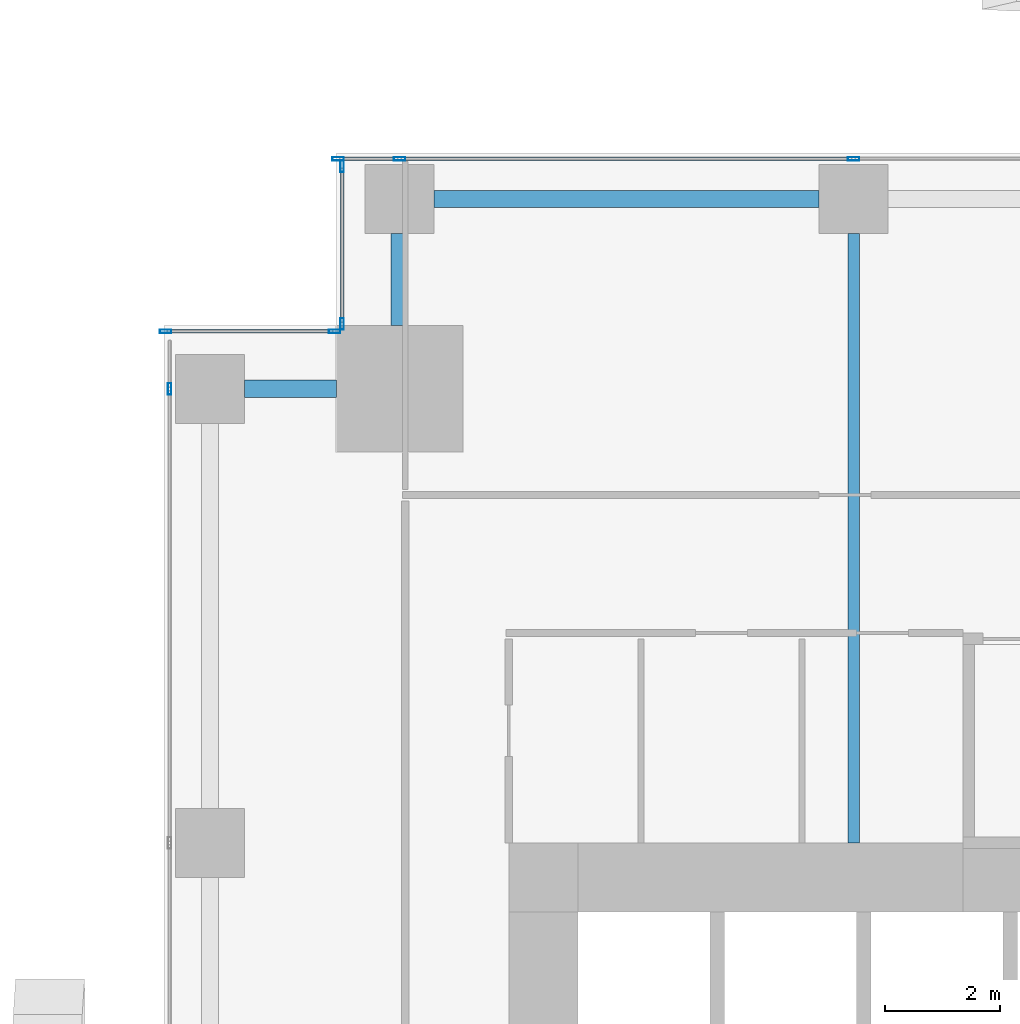
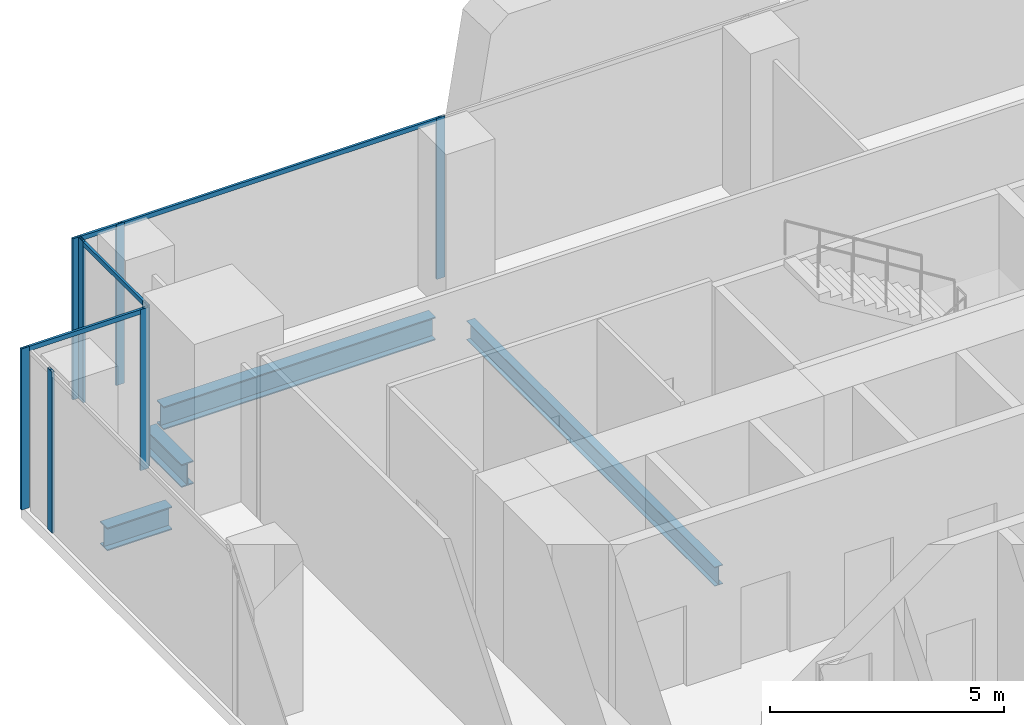
# One storey, part 14 of 35: 12 members, 4 beams, 4 elements without a shape of their own.
"""IFC4 building model written with IfcOpenShell, lengths in metres."""

import ifcopenshell
import ifcopenshell.guid

model = None  # the IFC model being written
_history = None  # IfcOwnerHistory: only IFC2X3 demands one
_inside = {}  # id of a spatial element -> (the spatial element, [elements in it])
_under = {}  # id of a project, library or spatial element -> (it, [spatial elements below it])
_declared = {}  # id of a project -> (the project, [libraries it declares])
_typed = {}  # id of a type object -> (the type object, [elements of that type])
_made_of = {}  # id of a material, layer set ... -> (it, [elements and type objects made of it])


def new_model(schema):
    """Start an empty IFC model of exactly this schema.

    Asked for "IFC4X3", IfcOpenShell would pick the latest addendum, in which some entities
    have other attributes; the version numbers below select the first issue.
    IFC2X3 requires an IfcOwnerHistory on every rooted entity: one is made here for all.
    """
    global model, _history
    if schema == "IFC4X3":
        model = ifcopenshell.file(schema_version=(4, 3, 0, 0))
    else:
        model = ifcopenshell.file(schema=schema)
    _inside.clear()
    _under.clear()
    _declared.clear()
    _typed.clear()
    _made_of.clear()
    _history = None
    if model.schema == "IFC2X3":
        org = make("IfcOrganization", Name="unknown")
        user = make(
            "IfcPersonAndOrganization",
            ThePerson=make("IfcPerson", FamilyName="unknown"),
            TheOrganization=org,
        )
        app = make(
            "IfcApplication",
            ApplicationDeveloper=org,
            Version="unknown",
            ApplicationFullName="unknown",
            ApplicationIdentifier="unknown",
        )
        _history = make(
            "IfcOwnerHistory",
            OwningUser=user,
            OwningApplication=app,
            ChangeAction="ADDED",
            CreationDate=0,
        )
    return model


def make(cls, **values):
    """One entity of the class cls with the attributes given. An attribute that is None is left unset."""
    return model.create_entity(
        cls, **{name: value for name, value in values.items() if value is not None}
    )


def rooted(cls, **values):
    """An entity with a GlobalId (a new one), such as an element, a storey or a relation."""
    return make(cls, GlobalId=ifcopenshell.guid.new(), OwnerHistory=_history, **values)


def si_unit(unit_type, name, prefix=None):
    """IfcSIUnit, for example si_unit("LENGTHUNIT", "METRE", prefix="MILLI")."""
    return make("IfcSIUnit", UnitType=unit_type, Prefix=prefix, Name=name)


def assignment(units):
    """IfcUnitAssignment: the units of a project."""
    return None if units is None else make("IfcUnitAssignment", Units=units)


def point(xyz):
    """IfcCartesianPoint."""
    return None if xyz is None else make("IfcCartesianPoint", Coordinates=xyz)


def direction(xyz):
    """IfcDirection."""
    return None if xyz is None else make("IfcDirection", DirectionRatios=xyz)


def frame(location, z_axis=None, x_axis=None):
    """IfcAxis2Placement3D, a coordinate frame: its origin and axes. An axis left out is left unset."""
    return make(
        "IfcAxis2Placement3D",
        Location=point(location),
        Axis=direction(z_axis),
        RefDirection=direction(x_axis),
    )


def frame_2d(location, x_axis=None):
    """IfcAxis2Placement2D, a coordinate frame in the plane: its origin and x axis."""
    return make(
        "IfcAxis2Placement2D", Location=point(location), RefDirection=direction(x_axis)
    )


def origin():
    """The frame at (0, 0, 0) with its axes left unset."""
    return frame((0.0, 0.0, 0.0))


def origin_2d():
    """The frame at (0, 0) in the plane with its x axis left unset."""
    return frame_2d((0.0, 0.0))


def place(relative_to, where):
    """IfcLocalPlacement: puts the frame where relative to a parent placement (None: the world)."""
    return make(
        "IfcLocalPlacement", PlacementRelTo=relative_to, RelativePlacement=where
    )


def context(
    kind, dimensions, precision=None, world=None, true_north=None, identifier=None
):
    """IfcGeometricRepresentationContext, for example the 3D "Model" context."""
    return make(
        "IfcGeometricRepresentationContext",
        ContextIdentifier=identifier,
        ContextType=kind,
        CoordinateSpaceDimension=dimensions,
        Precision=precision,
        WorldCoordinateSystem=world,
        TrueNorth=true_north,
    )


def subcontext(parent, identifier, kind, view, scale=None):
    """IfcGeometricRepresentationSubContext, for example "Body" below "Model"."""
    return make(
        "IfcGeometricRepresentationSubContext",
        ContextIdentifier=identifier,
        ContextType=kind,
        ParentContext=parent,
        TargetScale=scale,
        TargetView=view,
    )


def project(units=None, contexts=None):
    """IfcProject with its units and contexts."""
    return rooted(
        "IfcProject",
        Name="project",
        RepresentationContexts=contexts,
        UnitsInContext=assignment(units),
    )


def spatial(cls, under=None, at=None, **own):
    """A site, building, storey or space (cls), placed at a placement, below another one or the project."""
    s = rooted(cls, ObjectPlacement=at, **own)
    if under is not None:
        _under.setdefault(under.id(), (under, []))[1].append(s)
    return s


def profile(cls, at=None, kind="AREA", **sizes):
    """A parametric profile (cls). Its sizes go by their IFC names, for example OverallWidth=200.0."""
    return make(cls, ProfileType=kind, Position=at, **sizes)


def hollow_rectangle(**sizes):
    """IfcRectangleHollowProfileDef."""
    return profile("IfcRectangleHollowProfileDef", **sizes)


def i_section(**sizes):
    """IfcIShapeProfileDef."""
    return profile("IfcIShapeProfileDef", **sizes)


def extrude(swept, where, along, depth):
    """IfcExtrudedAreaSolid: the profile swept, set in the frame where, extruded along a direction by depth."""
    return make(
        "IfcExtrudedAreaSolid",
        SweptArea=swept,
        Position=where,
        ExtrudedDirection=direction(along),
        Depth=depth,
    )


def shape(context_of_items, identifier, shape_type, items):
    """IfcShapeRepresentation: the items that make up one representation, for example the "Body"."""
    return make(
        "IfcShapeRepresentation",
        ContextOfItems=context_of_items,
        RepresentationIdentifier=identifier,
        RepresentationType=shape_type,
        Items=items,
    )


def source(mapping_origin, context_of_items, identifier, shape_type, items):
    """IfcRepresentationMap: a shape defined once, which mapped items show again and again."""
    return make(
        "IfcRepresentationMap",
        MappingOrigin=mapping_origin,
        MappedRepresentation=shape(context_of_items, identifier, shape_type, items),
    )


def transform(
    local_origin,
    x_axis=None,
    y_axis=None,
    z_axis=None,
    scale=None,
    scale2=None,
    scale3=None,
    uniform=True,
):
    """IfcCartesianTransformationOperator3D, or its non-uniform kind. x_axis, y_axis, z_axis: its Axis1, 2, 3."""
    if uniform:
        return make(
            "IfcCartesianTransformationOperator3D",
            Axis1=direction(x_axis),
            Axis2=direction(y_axis),
            LocalOrigin=point(local_origin),
            Scale=scale,
            Axis3=direction(z_axis),
        )
    return make(
        "IfcCartesianTransformationOperator3DnonUniform",
        Axis1=direction(x_axis),
        Axis2=direction(y_axis),
        LocalOrigin=point(local_origin),
        Scale=scale,
        Axis3=direction(z_axis),
        Scale2=scale2,
        Scale3=scale3,
    )


def mapped(mapping_source, mapping_target):
    """IfcMappedItem: shows the shape of a source again, moved by a transform."""
    return make(
        "IfcMappedItem", MappingSource=mapping_source, MappingTarget=mapping_target
    )


def material(Name=None, Category=None):
    """IfcMaterial."""
    return make("IfcMaterial", Name=Name, Category=Category)


def material_profile(
    of_material, cross_section, Name=None, Category=None, Priority=None
):
    """IfcMaterialProfile: a cross section and its material."""
    return make(
        "IfcMaterialProfile",
        Name=Name,
        Material=of_material,
        Profile=cross_section,
        Priority=Priority,
        Category=Category,
    )


def profile_set(profiles, Name=None, composite=None):
    """IfcMaterialProfileSet."""
    return make(
        "IfcMaterialProfileSet",
        Name=Name,
        MaterialProfiles=profiles,
        CompositeProfile=composite,
    )


def made_of(thing, what):
    """Note that an element or type object is made of a material, layer set ...; save() writes the relation."""
    if what is not None:
        _made_of.setdefault(what.id(), (what, []))[1].append(thing)
    return thing


def type_object(cls, material=None, **own):
    """A type object (cls), such as IfcWallType, which elements share."""
    return made_of(rooted(cls, **own), material)


def element(
    cls,
    number,
    at=None,
    inside=None,
    cuts=None,
    type_object=None,
    material=None,
    context=None,
    identifier="Body",
    shape_type=None,
    held_by="IfcProductDefinitionShape",
    body=None,
    shapes=None,
    **own,
):
    """One element of the class cls, such as IfcWall. Its Tag is "e" and its number.

    at: its placement. inside: the storey or other place that contains it. cuts: it is an
    opening in that element (IfcRelVoidsElement). A single representation is given by context,
    identifier, shape_type and body (its items); several are given by shapes. held_by: the class
    of the entity that holds the representations. save() writes the other relations.
    """
    e = rooted(cls, Tag="e%d" % number, ObjectPlacement=at, **own)
    if body is not None:
        shapes = [shape(context, identifier, shape_type, body)]
    if shapes is not None:
        e.Representation = make(held_by, Representations=shapes)
    if inside is not None:
        _inside.setdefault(inside.id(), (inside, []))[1].append(e)
    if cuts is not None:
        rooted(
            "IfcRelVoidsElement", RelatingBuildingElement=cuts, RelatedOpeningElement=e
        )
    if type_object is not None:
        _typed.setdefault(type_object.id(), (type_object, []))[1].append(e)
    return made_of(e, material)


def aggregate(whole, parts):
    """IfcRelAggregates: a whole, such as a stair, and the parts it consists of."""
    return rooted("IfcRelAggregates", RelatingObject=whole, RelatedObjects=parts)


def save(model, path):
    """Write the relations noted so far, then the file.

    IfcRelAggregates (storeys below a building ...), IfcRelContainedInSpatialStructure (elements
    in a storey), IfcRelDefinesByType, IfcRelAssociatesMaterial and IfcRelDeclares: one each for
    every whole, place, type object, material and project.
    """
    for whole, parts in _under.values():
        aggregate(whole, parts)
    for where, things in _inside.values():
        rooted(
            "IfcRelContainedInSpatialStructure",
            RelatedElements=things,
            RelatingStructure=where,
        )
    for kind, things in _typed.values():
        rooted("IfcRelDefinesByType", RelatedObjects=things, RelatingType=kind)
    for what, things in _made_of.values():
        rooted("IfcRelAssociatesMaterial", RelatedObjects=things, RelatingMaterial=what)
    for by, libraries in _declared.values():
        rooted("IfcRelDeclares", RelatingContext=by, RelatedDefinitions=libraries)
    model.write(path)


model = new_model("IFC4")

# Units and contexts
model_context = context("Model", 3, precision=1e-05, world=origin(), true_north=direction((0.0, 1.0)))
body_context = subcontext(model_context, "Body", "Model", "MODEL_VIEW")
ifc_project = project(units=[si_unit("LENGTHUNIT", "METRE"), si_unit("AREAUNIT", "SQUARE_METRE"), si_unit("VOLUMEUNIT", "CUBIC_METRE"), si_unit("PLANEANGLEUNIT", "RADIAN"), si_unit("MASSUNIT", "GRAM", prefix="KILO")], contexts=[model_context])

# Site, building, storey
site_placement = place(None, origin())
site = spatial("IfcSite", under=ifc_project, at=site_placement, CompositionType="ELEMENT")
building_placement = place(site_placement, origin())
building = spatial("IfcBuilding", under=site, at=building_placement, Name="Khomas Fold Tower", CompositionType="ELEMENT")
storey_placement = place(building_placement, frame((0.0, 0.0, 69.0)))
storey = spatial("IfcBuildingStorey", under=building, at=storey_placement, Name="L14", CompositionType="ELEMENT", Elevation=69.0)

# Beams
ifc_material_1 = material(Name="Steel S355", Category="steel")
ifc_material_profile_1 = material_profile(ifc_material_1, i_section(OverallWidth=0.199951171875, OverallDepth=0.5, WebThickness=0.01025390625, FlangeThickness=0.01611328125, at=origin_2d()), Name="IPE 500")
ifc_profile_set_1 = profile_set([ifc_material_profile_1], Name="Steel S355")
beam_type_1 = type_object("IfcBeamType", Name="IPE 500 beam JB5", PredefinedType="BEAM", material=ifc_profile_set_1)
shared_shape_1 = source(origin(), body_context, "Body", "SweptSolid", [
    extrude(i_section(OverallWidth=0.199951171875, OverallDepth=0.5, WebThickness=0.01025390625, FlangeThickness=0.01611328125, at=origin_2d()), origin(), (0.0, 0.0, 1.0), 10.60009765625),
])
beam_1_placement = place(storey_placement, frame((12.0, 42.0, -0.550048828125), z_axis=(0.0, 1.0, 0.0), x_axis=(-1.0, 0.0, 0.0)))
element("IfcBeam", 1, at=beam_1_placement, inside=storey, type_object=beam_type_1, Name="JB5", PredefinedType="BEAM", context=body_context, shape_type="MappedRepresentation", body=[
    mapped(shared_shape_1, transform((0.0, 0.0, 0.0))),
])
ifc_material_2 = material(Name="Steel S355", Category="steel")
ifc_material_profile_2 = material_profile(ifc_material_2, i_section(OverallWidth=0.300048828125, OverallDepth=0.60009765625, WebThickness=0.015380859375, FlangeThickness=0.030029296875, at=origin_2d()), Name="HE 600 B")
ifc_profile_set_2 = profile_set([ifc_material_profile_2], Name="Steel S355")
beam_type_2 = type_object("IfcBeamType", Name="HE 600 B spandrel SB1", PredefinedType="SPANDREL", material=ifc_profile_set_2)
shared_shape_2 = source(origin(), body_context, "Body", "SweptSolid", [
    extrude(i_section(OverallWidth=0.300048828125, OverallDepth=0.60009765625, WebThickness=0.015380859375, FlangeThickness=0.030029296875, at=origin_2d()), origin(), (0.0, 0.0, 1.0), 6.699951171875),
])
beam_2_placement = place(storey_placement, frame((4.699951171875, 53.199951171875, -0.60009765625), z_axis=(1.0, 0.0, 0.0), x_axis=(0.0, 1.0, 0.0)))
element("IfcBeam", 2, at=beam_2_placement, inside=storey, type_object=beam_type_2, Name="SB1", PredefinedType="SPANDREL", context=body_context, shape_type="MappedRepresentation", body=[
    mapped(shared_shape_2, transform((0.0, 0.0, 0.0))),
])
shared_shape_3 = source(origin(), body_context, "Body", "SweptSolid", [
    extrude(i_section(OverallWidth=0.300048828125, OverallDepth=0.60009765625, WebThickness=0.015380859375, FlangeThickness=0.030029296875, at=origin_2d()), origin(), (0.0, 0.0, 1.0), 1.60009765625),
])
for number, where, z_axis, x_axis, name in (
    (3, (4.10009765625, 51.0, -0.60009765625), (0.0, 1.0, 0.0), (-1.0, 0.0, 0.0), "SB1"),
    (4, (1.39990234375, 49.89990234375, -0.60009765625), (1.0, 0.0, 0.0), (0.0, 1.0, 0.0), "SB1"),
):
    element("IfcBeam", number, at=place(storey_placement, frame(where, z_axis=z_axis, x_axis=x_axis)), inside=storey, type_object=beam_type_2, Name=name, PredefinedType="SPANDREL", context=body_context, shape_type="MappedRepresentation", body=[
        mapped(shared_shape_3, transform((0.0, 0.0, 0.0))),
    ])

# Curtain wall, members
ifc_material_3 = material(Name="Aluminium framed double glazing", Category="aluminium")
curtain_wall_type = type_object("IfcCurtainWallType", Name="SK-Unitised clear-glass wall, growing floors CW1", PredefinedType="NOTDEFINED", material=ifc_material_3)
curtain_wall_1_placement = place(storey_placement, origin())
curtain_wall_1 = element("IfcCurtainWall", 5, at=curtain_wall_1_placement, inside=storey, type_object=curtain_wall_type, Name="CW1 run L14 06-0", PredefinedType="NOTDEFINED")
ifc_material_4 = material(Name="Aluminium", Category="aluminium")
ifc_material_profile_3 = material_profile(ifc_material_4, hollow_rectangle(XDim=0.06005859375, YDim=0.1201171875, WallThickness=0.00390625, at=origin_2d()), Name="SK-Unitised clear-glass wall, growing floors transom CW1-T")
ifc_profile_set_3 = profile_set([ifc_material_profile_3], Name="Aluminium")
member_type_1 = type_object("IfcMemberType", Name="SK-Unitised clear-glass wall, growing floors transom CW1-T", PredefinedType="USERDEFINED", material=ifc_profile_set_3)
shared_shape_4 = source(origin(), body_context, "Body", "SweptSolid", [
    extrude(hollow_rectangle(XDim=0.06005859375, YDim=0.1201171875, WallThickness=0.00390625, at=origin_2d()), origin(), (0.0, 0.0, 1.0), 7.840087890625),
])
member_1_placement = place(storey_placement, frame((11.969970703125, 53.89990234375, 4.139892578125), z_axis=(-1.0, 0.0, 0.0), x_axis=(0.0, -1.0, 0.0)))
member_1 = element("IfcMember", 6, at=member_1_placement, type_object=member_type_1, Name="CW1 transom 7", ObjectType="TRANSOM", PredefinedType="USERDEFINED", context=body_context, shape_type="MappedRepresentation", body=[
    mapped(shared_shape_4, transform((0.0, 0.0, 0.0))),
])
shared_shape_5 = source(origin(), body_context, "Body", "SweptSolid", [
    extrude(hollow_rectangle(XDim=0.06005859375, YDim=0.1201171875, WallThickness=0.00390625, at=origin_2d()), origin(), (0.0, 0.0, 1.0), 1.010009765625),
])
member_2_placement = place(storey_placement, frame((4.070068359375, 53.89990234375, 4.139892578125), z_axis=(-1.0, 0.0, 0.0), x_axis=(0.0, -1.0, 0.0)))
member_2 = element("IfcMember", 7, at=member_2_placement, type_object=member_type_1, Name="CW1 transom 8", ObjectType="TRANSOM", PredefinedType="USERDEFINED", context=body_context, shape_type="MappedRepresentation", body=[
    mapped(shared_shape_5, transform((0.0, 0.0, 0.0))),
])

# Curtain wall, member
curtain_wall_2_placement = place(storey_placement, origin())
curtain_wall_2 = element("IfcCurtainWall", 8, at=curtain_wall_2_placement, inside=storey, type_object=curtain_wall_type, Name="CW1 corner return L14 07", PredefinedType="NOTDEFINED")
shared_shape_6 = source(origin(), body_context, "Body", "SweptSolid", [
    extrude(hollow_rectangle(XDim=0.06005859375, YDim=0.1201171875, WallThickness=0.00390625, at=origin_2d()), origin(), (0.0, 0.0, 1.0), 2.679931640625),
])
member_3_placement = place(storey_placement, frame((3.10009765625, 53.739990234375, 4.139892578125), z_axis=(0.0, -1.0, 0.0), x_axis=(1.0, 0.0, 0.0)))
member_3 = element("IfcMember", 9, at=member_3_placement, type_object=member_type_1, Name="CW1 transom 1", ObjectType="TRANSOM", PredefinedType="USERDEFINED", context=body_context, shape_type="MappedRepresentation", body=[
    mapped(shared_shape_6, transform((0.0, 0.0, 0.0))),
])

curtain_wall_3_placement = place(storey_placement, origin())
curtain_wall_3 = element("IfcCurtainWall", 10, at=curtain_wall_3_placement, inside=storey, type_object=curtain_wall_type, Name="CW1 corner return L14 08", PredefinedType="NOTDEFINED")
shared_shape_7 = source(origin(), body_context, "Body", "SweptSolid", [
    extrude(hollow_rectangle(XDim=0.06005859375, YDim=0.1201171875, WallThickness=0.00390625, at=origin_2d()), origin(), (0.0, 0.0, 1.0), 2.8798828125),
])
member_4_placement = place(storey_placement, frame((2.93994140625, 50.89990234375, 4.139892578125), z_axis=(-1.0, 0.0, 0.0), x_axis=(0.0, -1.0, 0.0)))
member_4 = element("IfcMember", 11, at=member_4_placement, type_object=member_type_1, Name="CW1 transom 1", ObjectType="TRANSOM", PredefinedType="USERDEFINED", context=body_context, shape_type="MappedRepresentation", body=[
    mapped(shared_shape_7, transform((0.0, 0.0, 0.0))),
])

# Member
ifc_material_5 = material(Name="Aluminium", Category="aluminium")
ifc_material_profile_4 = material_profile(ifc_material_5, hollow_rectangle(XDim=0.06005859375, YDim=0.199951171875, WallThickness=0.00390625, at=origin_2d()), Name="SK-Unitised clear-glass wall, growing floors mullion CW1-M")
ifc_profile_set_4 = profile_set([ifc_material_profile_4], Name="Aluminium")
member_type_2 = type_object("IfcMemberType", Name="SK-Unitised clear-glass wall, growing floors mullion CW1-M", PredefinedType="MULLION", material=ifc_profile_set_4)
shared_shape_8 = source(origin(), body_context, "Body", "SweptSolid", [
    extrude(hollow_rectangle(XDim=0.06005859375, YDim=0.199951171875, WallThickness=0.00390625, at=origin_2d()), origin(), (0.0, 0.0, 1.0), 4.199951171875),
])
member_5_placement = place(storey_placement, frame((12.0, 53.89990234375, 0.0), z_axis=(0.0, 0.0, 1.0), x_axis=(0.0, -1.0, 0.0)))
member_5 = element("IfcMember", 12, at=member_5_placement, type_object=member_type_2, Name="CW1 mullion 7", PredefinedType="MULLION", context=body_context, shape_type="MappedRepresentation", body=[
    mapped(shared_shape_8, transform((0.0, 0.0, 0.0))),
])

member_6_placement = place(storey_placement, frame((4.10009765625, 53.89990234375, 0.0), z_axis=(0.0, 0.0, 1.0), x_axis=(0.0, -1.0, 0.0)))
member_6 = element("IfcMember", 13, at=member_6_placement, type_object=member_type_2, Name="CW1 mullion 8", PredefinedType="MULLION", context=body_context, shape_type="MappedRepresentation", body=[
    mapped(shared_shape_8, transform((0.0, 0.0, 0.0))),
])

member_7_placement = place(storey_placement, frame((3.030029296875, 53.89990234375, 0.0), z_axis=(0.0, 0.0, 1.0), x_axis=(0.0, -1.0, 0.0)))
member_7 = element("IfcMember", 14, at=member_7_placement, type_object=member_type_2, Name="CW1 mullion 9", PredefinedType="MULLION", context=body_context, shape_type="MappedRepresentation", body=[
    mapped(shared_shape_8, transform((0.0, 0.0, 0.0))),
])

aggregate(curtain_wall_1, [member_5, member_6, member_7, member_1, member_2])

member_8_placement = place(storey_placement, frame((3.10009765625, 53.77001953125, 0.0), z_axis=(0.0, 0.0, 1.0), x_axis=(1.0, 0.0, 0.0)))
member_8 = element("IfcMember", 15, at=member_8_placement, type_object=member_type_2, Name="CW1 mullion 1", PredefinedType="MULLION", context=body_context, shape_type="MappedRepresentation", body=[
    mapped(shared_shape_8, transform((0.0, 0.0, 0.0))),
])

member_9_placement = place(storey_placement, frame((3.10009765625, 51.030029296875, 0.0), z_axis=(0.0, 0.0, 1.0), x_axis=(1.0, 0.0, 0.0)))
member_9 = element("IfcMember", 16, at=member_9_placement, type_object=member_type_2, Name="CW1 mullion 2", PredefinedType="MULLION", context=body_context, shape_type="MappedRepresentation", body=[
    mapped(shared_shape_8, transform((0.0, 0.0, 0.0))),
])

aggregate(curtain_wall_2, [member_8, member_9, member_3])

member_10_placement = place(storey_placement, frame((2.969970703125, 50.89990234375, 0.0), z_axis=(0.0, 0.0, 1.0), x_axis=(0.0, -1.0, 0.0)))
member_10 = element("IfcMember", 17, at=member_10_placement, type_object=member_type_2, Name="CW1 mullion 1", PredefinedType="MULLION", context=body_context, shape_type="MappedRepresentation", body=[
    mapped(shared_shape_8, transform((0.0, 0.0, 0.0))),
])

member_11_placement = place(storey_placement, frame((0.030029296875, 50.89990234375, 0.0), z_axis=(0.0, 0.0, 1.0), x_axis=(0.0, -1.0, 0.0)))
member_11 = element("IfcMember", 18, at=member_11_placement, type_object=member_type_2, Name="CW1 mullion 2", PredefinedType="MULLION", context=body_context, shape_type="MappedRepresentation", body=[
    mapped(shared_shape_8, transform((0.0, 0.0, 0.0))),
])

aggregate(curtain_wall_3, [member_10, member_11, member_4])

# Curtain wall, member
curtain_wall_4_placement = place(storey_placement, origin())
curtain_wall_4 = element("IfcCurtainWall", 19, at=curtain_wall_4_placement, inside=storey, type_object=curtain_wall_type, Name="CW1 run L14 09-0", PredefinedType="NOTDEFINED")
member_12_placement = place(storey_placement, frame((0.10009765625, 49.89990234375, 0.0), z_axis=(0.0, 0.0, 1.0), x_axis=(1.0, 0.0, 0.0)))
member_12 = element("IfcMember", 20, at=member_12_placement, type_object=member_type_2, Name="CW1 mullion 2", PredefinedType="MULLION", context=body_context, shape_type="MappedRepresentation", body=[
    mapped(shared_shape_8, transform((0.0, 0.0, 0.0))),
])
aggregate(curtain_wall_4, [member_12])

save(model, "model.ifc")
